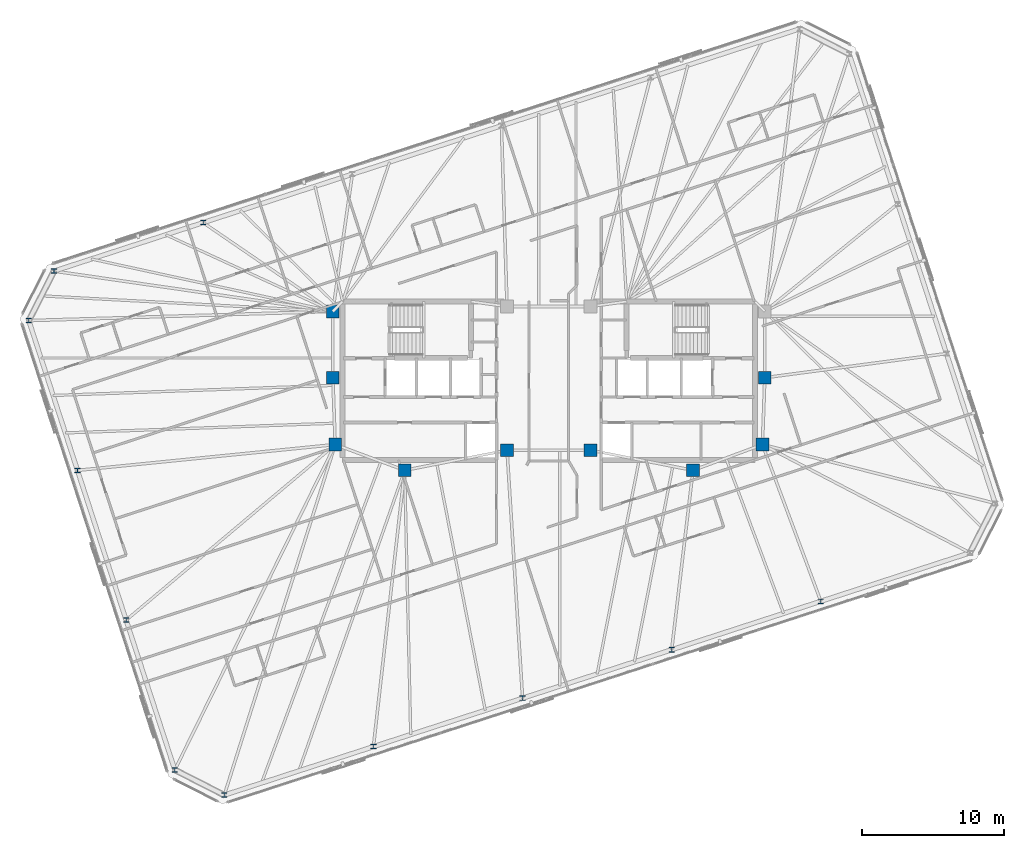
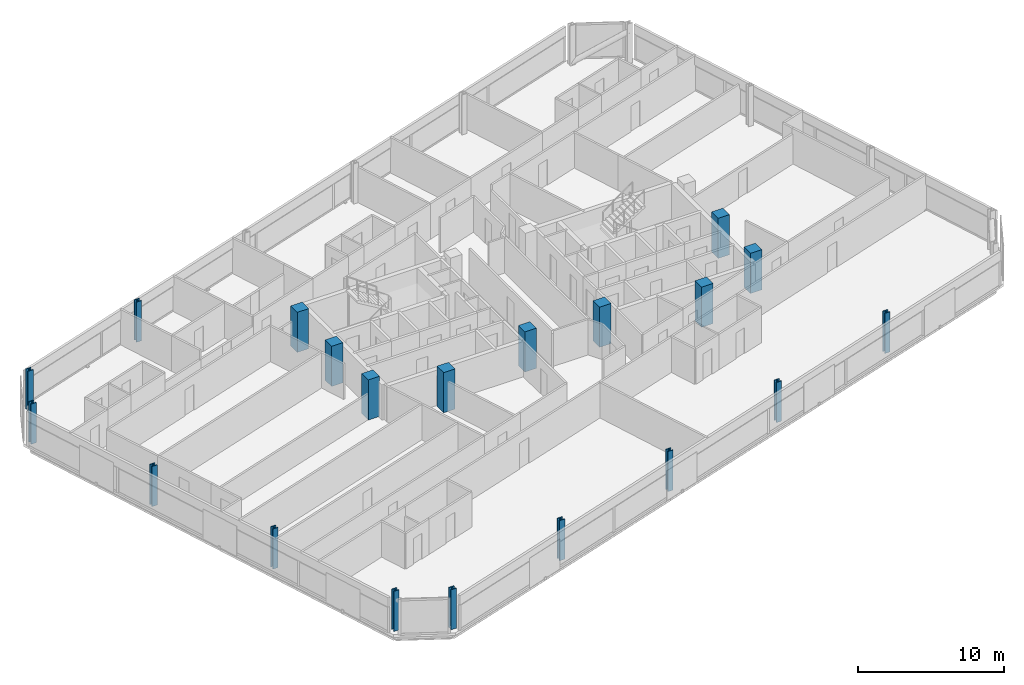
# One storey, part 1 of 19: 20 columns.
"""IFC4 building model written with IfcOpenShell, lengths in metres."""

import ifcopenshell
import ifcopenshell.guid

model = None  # the IFC model being written
_history = None  # IfcOwnerHistory: only IFC2X3 demands one
_inside = {}  # id of a spatial element -> (the spatial element, [elements in it])
_under = {}  # id of a project, library or spatial element -> (it, [spatial elements below it])
_declared = {}  # id of a project -> (the project, [libraries it declares])
_typed = {}  # id of a type object -> (the type object, [elements of that type])
_made_of = {}  # id of a material, layer set ... -> (it, [elements and type objects made of it])


def new_model(schema):
    """Start an empty IFC model of exactly this schema.

    Asked for "IFC4X3", IfcOpenShell would pick the latest addendum, in which some entities
    have other attributes; the version numbers below select the first issue.
    IFC2X3 requires an IfcOwnerHistory on every rooted entity: one is made here for all.
    """
    global model, _history
    if schema == "IFC4X3":
        model = ifcopenshell.file(schema_version=(4, 3, 0, 0))
    else:
        model = ifcopenshell.file(schema=schema)
    _inside.clear()
    _under.clear()
    _declared.clear()
    _typed.clear()
    _made_of.clear()
    _history = None
    if model.schema == "IFC2X3":
        org = make("IfcOrganization", Name="unknown")
        user = make(
            "IfcPersonAndOrganization",
            ThePerson=make("IfcPerson", FamilyName="unknown"),
            TheOrganization=org,
        )
        app = make(
            "IfcApplication",
            ApplicationDeveloper=org,
            Version="unknown",
            ApplicationFullName="unknown",
            ApplicationIdentifier="unknown",
        )
        _history = make(
            "IfcOwnerHistory",
            OwningUser=user,
            OwningApplication=app,
            ChangeAction="ADDED",
            CreationDate=0,
        )
    return model


def make(cls, **values):
    """One entity of the class cls with the attributes given. An attribute that is None is left unset."""
    return model.create_entity(
        cls, **{name: value for name, value in values.items() if value is not None}
    )


def rooted(cls, **values):
    """An entity with a GlobalId (a new one), such as an element, a storey or a relation."""
    return make(cls, GlobalId=ifcopenshell.guid.new(), OwnerHistory=_history, **values)


def si_unit(unit_type, name, prefix=None):
    """IfcSIUnit, for example si_unit("LENGTHUNIT", "METRE", prefix="MILLI")."""
    return make("IfcSIUnit", UnitType=unit_type, Prefix=prefix, Name=name)


def assignment(units):
    """IfcUnitAssignment: the units of a project."""
    return None if units is None else make("IfcUnitAssignment", Units=units)


def point(xyz):
    """IfcCartesianPoint."""
    return None if xyz is None else make("IfcCartesianPoint", Coordinates=xyz)


def direction(xyz):
    """IfcDirection."""
    return None if xyz is None else make("IfcDirection", DirectionRatios=xyz)


def frame(location, z_axis=None, x_axis=None):
    """IfcAxis2Placement3D, a coordinate frame: its origin and axes. An axis left out is left unset."""
    return make(
        "IfcAxis2Placement3D",
        Location=point(location),
        Axis=direction(z_axis),
        RefDirection=direction(x_axis),
    )


def frame_2d(location, x_axis=None):
    """IfcAxis2Placement2D, a coordinate frame in the plane: its origin and x axis."""
    return make(
        "IfcAxis2Placement2D", Location=point(location), RefDirection=direction(x_axis)
    )


def origin():
    """The frame at (0, 0, 0) with its axes left unset."""
    return frame((0.0, 0.0, 0.0))


def origin_2d():
    """The frame at (0, 0) in the plane with its x axis left unset."""
    return frame_2d((0.0, 0.0))


def place(relative_to, where):
    """IfcLocalPlacement: puts the frame where relative to a parent placement (None: the world)."""
    return make(
        "IfcLocalPlacement", PlacementRelTo=relative_to, RelativePlacement=where
    )


def context(
    kind, dimensions, precision=None, world=None, true_north=None, identifier=None
):
    """IfcGeometricRepresentationContext, for example the 3D "Model" context."""
    return make(
        "IfcGeometricRepresentationContext",
        ContextIdentifier=identifier,
        ContextType=kind,
        CoordinateSpaceDimension=dimensions,
        Precision=precision,
        WorldCoordinateSystem=world,
        TrueNorth=true_north,
    )


def subcontext(parent, identifier, kind, view, scale=None):
    """IfcGeometricRepresentationSubContext, for example "Body" below "Model"."""
    return make(
        "IfcGeometricRepresentationSubContext",
        ContextIdentifier=identifier,
        ContextType=kind,
        ParentContext=parent,
        TargetScale=scale,
        TargetView=view,
    )


def project(units=None, contexts=None):
    """IfcProject with its units and contexts."""
    return rooted(
        "IfcProject",
        Name="project",
        RepresentationContexts=contexts,
        UnitsInContext=assignment(units),
    )


def spatial(cls, under=None, at=None, **own):
    """A site, building, storey or space (cls), placed at a placement, below another one or the project."""
    s = rooted(cls, ObjectPlacement=at, **own)
    if under is not None:
        _under.setdefault(under.id(), (under, []))[1].append(s)
    return s


def profile(cls, at=None, kind="AREA", **sizes):
    """A parametric profile (cls). Its sizes go by their IFC names, for example OverallWidth=200.0."""
    return make(cls, ProfileType=kind, Position=at, **sizes)


def rectangle(**sizes):
    """IfcRectangleProfileDef."""
    return profile("IfcRectangleProfileDef", **sizes)


def i_section(**sizes):
    """IfcIShapeProfileDef."""
    return profile("IfcIShapeProfileDef", **sizes)


def extrude(swept, where, along, depth):
    """IfcExtrudedAreaSolid: the profile swept, set in the frame where, extruded along a direction by depth."""
    return make(
        "IfcExtrudedAreaSolid",
        SweptArea=swept,
        Position=where,
        ExtrudedDirection=direction(along),
        Depth=depth,
    )


def shape(context_of_items, identifier, shape_type, items):
    """IfcShapeRepresentation: the items that make up one representation, for example the "Body"."""
    return make(
        "IfcShapeRepresentation",
        ContextOfItems=context_of_items,
        RepresentationIdentifier=identifier,
        RepresentationType=shape_type,
        Items=items,
    )


def material(Name=None, Category=None):
    """IfcMaterial."""
    return make("IfcMaterial", Name=Name, Category=Category)


def material_profile(
    of_material, cross_section, Name=None, Category=None, Priority=None
):
    """IfcMaterialProfile: a cross section and its material."""
    return make(
        "IfcMaterialProfile",
        Name=Name,
        Material=of_material,
        Profile=cross_section,
        Priority=Priority,
        Category=Category,
    )


def profile_set(profiles, Name=None, composite=None):
    """IfcMaterialProfileSet."""
    return make(
        "IfcMaterialProfileSet",
        Name=Name,
        MaterialProfiles=profiles,
        CompositeProfile=composite,
    )


def made_of(thing, what):
    """Note that an element or type object is made of a material, layer set ...; save() writes the relation."""
    if what is not None:
        _made_of.setdefault(what.id(), (what, []))[1].append(thing)
    return thing


def type_object(cls, material=None, **own):
    """A type object (cls), such as IfcWallType, which elements share."""
    return made_of(rooted(cls, **own), material)


def element(
    cls,
    number,
    at=None,
    inside=None,
    cuts=None,
    type_object=None,
    material=None,
    context=None,
    identifier="Body",
    shape_type=None,
    held_by="IfcProductDefinitionShape",
    body=None,
    shapes=None,
    **own,
):
    """One element of the class cls, such as IfcWall. Its Tag is "e" and its number.

    at: its placement. inside: the storey or other place that contains it. cuts: it is an
    opening in that element (IfcRelVoidsElement). A single representation is given by context,
    identifier, shape_type and body (its items); several are given by shapes. held_by: the class
    of the entity that holds the representations. save() writes the other relations.
    """
    e = rooted(cls, Tag="e%d" % number, ObjectPlacement=at, **own)
    if body is not None:
        shapes = [shape(context, identifier, shape_type, body)]
    if shapes is not None:
        e.Representation = make(held_by, Representations=shapes)
    if inside is not None:
        _inside.setdefault(inside.id(), (inside, []))[1].append(e)
    if cuts is not None:
        rooted(
            "IfcRelVoidsElement", RelatingBuildingElement=cuts, RelatedOpeningElement=e
        )
    if type_object is not None:
        _typed.setdefault(type_object.id(), (type_object, []))[1].append(e)
    return made_of(e, material)


def aggregate(whole, parts):
    """IfcRelAggregates: a whole, such as a stair, and the parts it consists of."""
    return rooted("IfcRelAggregates", RelatingObject=whole, RelatedObjects=parts)


def save(model, path):
    """Write the relations noted so far, then the file.

    IfcRelAggregates (storeys below a building ...), IfcRelContainedInSpatialStructure (elements
    in a storey), IfcRelDefinesByType, IfcRelAssociatesMaterial and IfcRelDeclares: one each for
    every whole, place, type object, material and project.
    """
    for whole, parts in _under.values():
        aggregate(whole, parts)
    for where, things in _inside.values():
        rooted(
            "IfcRelContainedInSpatialStructure",
            RelatedElements=things,
            RelatingStructure=where,
        )
    for kind, things in _typed.values():
        rooted("IfcRelDefinesByType", RelatedObjects=things, RelatingType=kind)
    for what, things in _made_of.values():
        rooted("IfcRelAssociatesMaterial", RelatedObjects=things, RelatingMaterial=what)
    for by, libraries in _declared.values():
        rooted("IfcRelDeclares", RelatingContext=by, RelatedDefinitions=libraries)
    model.write(path)


model = new_model("IFC4")

# Units and contexts
model_context = context("Model", 3, precision=1e-05, world=origin(), true_north=direction((0.0, 1.0)))
body_context = subcontext(model_context, "Body", "Model", "MODEL_VIEW")
ifc_project = project(units=[si_unit("LENGTHUNIT", "METRE"), si_unit("AREAUNIT", "SQUARE_METRE"), si_unit("VOLUMEUNIT", "CUBIC_METRE"), si_unit("PLANEANGLEUNIT", "RADIAN"), si_unit("MASSUNIT", "GRAM", prefix="KILO")], contexts=[model_context])

# Site, building, storey
site_placement = place(None, origin())
site = spatial("IfcSite", under=ifc_project, at=site_placement, CompositionType="ELEMENT")
building_placement = place(site_placement, origin())
building = spatial("IfcBuilding", under=site, at=building_placement, Name="Menara Jurai Vektor", CompositionType="ELEMENT")
storey_placement = place(building_placement, frame((0.0, 0.0, 251.10009765625)))
storey = spatial("IfcBuildingStorey", under=building, at=storey_placement, Name="L67", CompositionType="ELEMENT", Elevation=251.10009765625)

# Columns
ifc_material_1 = material(Name="Concrete C50/60", Category="concrete")
ifc_material_profile_1 = material_profile(ifc_material_1, rectangle(XDim=0.89990234375, YDim=0.89990234375, at=origin_2d()), Name="RC 900x900")
ifc_profile_set_1 = profile_set([ifc_material_profile_1], Name="Concrete C50/60")
column_type_1 = type_object("IfcColumnType", Name="STR-COL-RC900", PredefinedType="COLUMN", material=ifc_profile_set_1)
for number, where, z_axis, x_axis, name in (
    (1, (-15.25, 4.89990234375, 0.0), (0.0, 0.0, 1.0), (1.0, 0.0, 0.0), "Core Spine Column CW-NW L67"),
    (2, (-15.25, 0.219970703125, 0.0), (0.0, 0.0, 1.0), (1.0, 0.0, 0.0), "Core Spine Column CW-WM L67"),
    (3, (-15.080078125, -4.5, 0.0), (0.0, 0.0, 1.0), (1.0, 0.0, 0.0), "Core Spine Column CW-SW L67"),
    (4, (-10.179931640625, -6.320068359375, 0.0), (0.0, 0.0, 1.0), (1.0, 0.0, 0.0), "Core Spine Column CW-SM L67"),
    (5, (-2.949951171875, -4.89990234375, 0.0), (0.0, 0.0, 1.0), (1.0, 0.0, 0.0), "Core Spine Column CW-SE L67"),
    (6, (15.25, 0.219970703125, 0.0), (0.0, 0.0, 1.0), (1.0, 0.0, 0.0), "Core Spine Column CE-EM L67"),
    (7, (15.080078125, -4.5, 0.0), (0.0, 0.0, 1.0), (1.0, 0.0, 0.0), "Core Spine Column CE-SE L67"),
    (8, (10.179931640625, -6.320068359375, 0.0), (0.0, 0.0, 1.0), (1.0, 0.0, 0.0), "Core Spine Column CE-SM L67"),
    (9, (2.949951171875, -4.89990234375, 0.0), (0.0, 0.0, 1.0), (1.0, 0.0, 0.0), "Core Spine Column CE-SW L67"),
):
    element("IfcColumn", number, at=place(storey_placement, frame(where, z_axis=z_axis, x_axis=x_axis)), inside=storey, type_object=column_type_1, Name=name, PredefinedType="COLUMN", context=body_context, shape_type="SweptSolid", body=[
        extrude(rectangle(XDim=0.89990234375, YDim=0.89990234375, at=origin_2d()), origin(), (0.0, 0.0, 1.0), 3.349853515625),
    ])
ifc_material_2 = material(Name="Steel S460", Category="steel")
ifc_material_profile_2 = material_profile(ifc_material_2, i_section(OverallWidth=0.405029296875, OverallDepth=0.35498046875, WebThickness=0.0419921875, FlangeThickness=0.068115234375, FilletRadius=0.014892578125, at=origin_2d()), Name="HD 400x551")
ifc_profile_set_2 = profile_set([ifc_material_profile_2], Name="Steel S460")
column_type_2 = type_object("IfcColumnType", Name="STR-EXO-BLK4", PredefinedType="COLUMN", material=ifc_profile_set_2)
for number, where, z_axis, x_axis, name in (
    (10, (-22.912841796875, -29.2509765625, 0.0), (0.0, 0.0, 1.0), (1.0, 0.0, 0.0), "Exoskeleton Column BLK4-S1 L67"),
    (11, (-12.383544921875, -25.829833984375, 0.0), (0.0, 0.0, 1.0), (1.0, 0.0, 0.0), "Exoskeleton Column BLK4-S2 L67"),
    (12, (-1.854248046875, -22.40869140625, 0.0), (0.0, 0.0, 1.0), (1.0, 0.0, 0.0), "Exoskeleton Column BLK4-S3 L67"),
    (13, (8.675048828125, -18.987548828125, 0.0), (0.0, 0.0, 1.0), (1.0, 0.0, 0.0), "Exoskeleton Column BLK4-S4 L67"),
    (14, (19.204345703125, -15.56640625, 0.0), (0.0, 0.0, 1.0), (1.0, 0.0, 0.0), "Exoskeleton Column BLK4-S5 L67"),
    (15, (-24.404296875, 11.166259765625, 0.0), (0.0, 0.0, 1.0), (1.0, 0.0, 0.0), "Exoskeleton Column BLK4-N5 L67"),
    (16, (-34.93359375, 7.7451171875, 0.0), (0.0, 0.0, 1.0), (1.0, 0.0, 0.0), "Exoskeleton Column BLK4-N6 L67"),
    (17, (-36.71337890625, 4.251953125, 0.0), (0.0, 0.0, 1.0), (1.0, 0.0, 0.0), "Exoskeleton Column BLK4-W1 L67"),
    (18, (-33.277587890625, -6.322265625, 0.0), (0.0, 0.0, 1.0), (1.0, 0.0, 0.0), "Exoskeleton Column BLK4-W2 L67"),
    (19, (-29.841796875, -16.896728515625, 0.0), (0.0, 0.0, 1.0), (1.0, 0.0, 0.0), "Exoskeleton Column BLK4-W3 L67"),
    (20, (-26.406005859375, -27.47119140625, 0.0), (0.0, 0.0, 1.0), (1.0, 0.0, 0.0), "Exoskeleton Column BLK4-W4 L67"),
):
    element("IfcColumn", number, at=place(storey_placement, frame(where, z_axis=z_axis, x_axis=x_axis)), inside=storey, type_object=column_type_2, Name=name, PredefinedType="COLUMN", context=body_context, shape_type="SweptSolid", body=[
        extrude(i_section(OverallWidth=0.405029296875, OverallDepth=0.35498046875, WebThickness=0.0419921875, FlangeThickness=0.068115234375, FilletRadius=0.014892578125, at=origin_2d()), origin(), (0.0, 0.0, 1.0), 3.349853515625),
    ])

save(model, "model.ifc")
